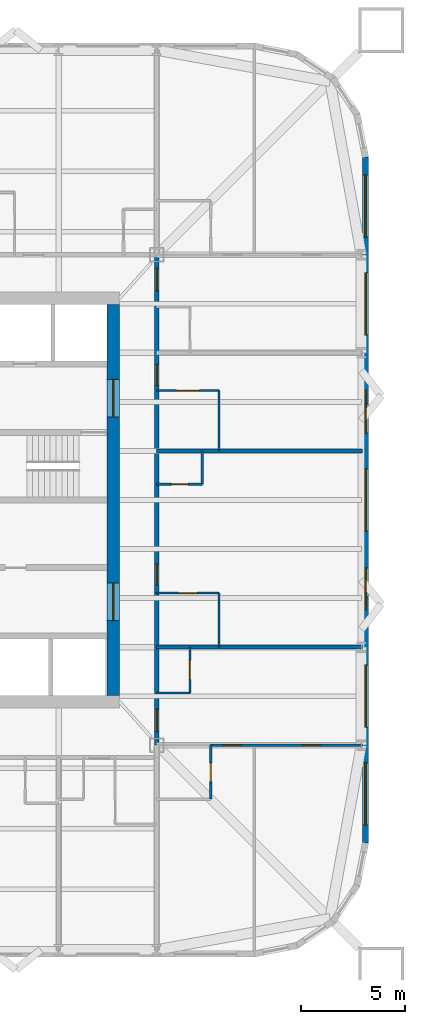
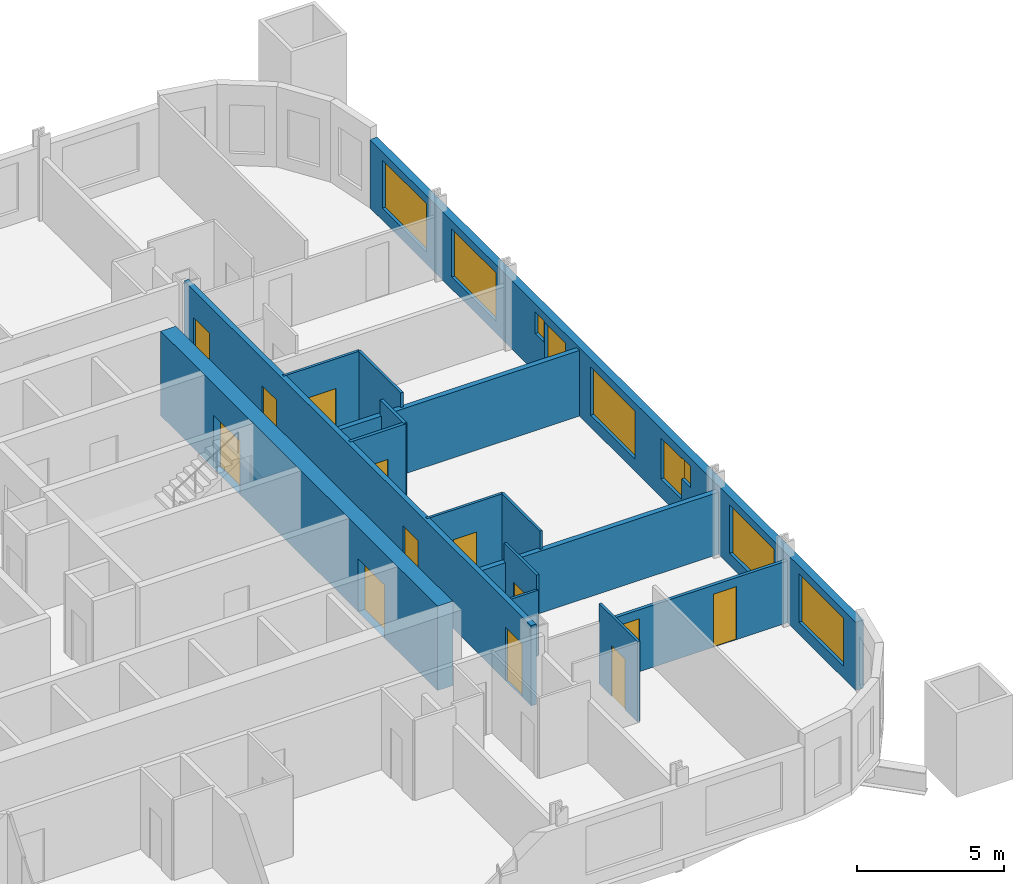
# One storey, part 6 of 10: 15 walls, 13 doors, 9 windows, 22 openings.
"""IFC4 building model written with IfcOpenShell, lengths in metres."""

import ifcopenshell
import ifcopenshell.guid

model = None  # the IFC model being written
_history = None  # IfcOwnerHistory: only IFC2X3 demands one
_inside = {}  # id of a spatial element -> (the spatial element, [elements in it])
_under = {}  # id of a project, library or spatial element -> (it, [spatial elements below it])
_declared = {}  # id of a project -> (the project, [libraries it declares])
_typed = {}  # id of a type object -> (the type object, [elements of that type])
_made_of = {}  # id of a material, layer set ... -> (it, [elements and type objects made of it])


def new_model(schema):
    """Start an empty IFC model of exactly this schema.

    Asked for "IFC4X3", IfcOpenShell would pick the latest addendum, in which some entities
    have other attributes; the version numbers below select the first issue.
    IFC2X3 requires an IfcOwnerHistory on every rooted entity: one is made here for all.
    """
    global model, _history
    if schema == "IFC4X3":
        model = ifcopenshell.file(schema_version=(4, 3, 0, 0))
    else:
        model = ifcopenshell.file(schema=schema)
    _inside.clear()
    _under.clear()
    _declared.clear()
    _typed.clear()
    _made_of.clear()
    _history = None
    if model.schema == "IFC2X3":
        org = make("IfcOrganization", Name="unknown")
        user = make(
            "IfcPersonAndOrganization",
            ThePerson=make("IfcPerson", FamilyName="unknown"),
            TheOrganization=org,
        )
        app = make(
            "IfcApplication",
            ApplicationDeveloper=org,
            Version="unknown",
            ApplicationFullName="unknown",
            ApplicationIdentifier="unknown",
        )
        _history = make(
            "IfcOwnerHistory",
            OwningUser=user,
            OwningApplication=app,
            ChangeAction="ADDED",
            CreationDate=0,
        )
    return model


def make(cls, **values):
    """One entity of the class cls with the attributes given. An attribute that is None is left unset."""
    return model.create_entity(
        cls, **{name: value for name, value in values.items() if value is not None}
    )


def rooted(cls, **values):
    """An entity with a GlobalId (a new one), such as an element, a storey or a relation."""
    return make(cls, GlobalId=ifcopenshell.guid.new(), OwnerHistory=_history, **values)


def si_unit(unit_type, name, prefix=None):
    """IfcSIUnit, for example si_unit("LENGTHUNIT", "METRE", prefix="MILLI")."""
    return make("IfcSIUnit", UnitType=unit_type, Prefix=prefix, Name=name)


def assignment(units):
    """IfcUnitAssignment: the units of a project."""
    return None if units is None else make("IfcUnitAssignment", Units=units)


def point(xyz):
    """IfcCartesianPoint."""
    return None if xyz is None else make("IfcCartesianPoint", Coordinates=xyz)


def direction(xyz):
    """IfcDirection."""
    return None if xyz is None else make("IfcDirection", DirectionRatios=xyz)


def frame(location, z_axis=None, x_axis=None):
    """IfcAxis2Placement3D, a coordinate frame: its origin and axes. An axis left out is left unset."""
    return make(
        "IfcAxis2Placement3D",
        Location=point(location),
        Axis=direction(z_axis),
        RefDirection=direction(x_axis),
    )


def frame_2d(location, x_axis=None):
    """IfcAxis2Placement2D, a coordinate frame in the plane: its origin and x axis."""
    return make(
        "IfcAxis2Placement2D", Location=point(location), RefDirection=direction(x_axis)
    )


def origin():
    """The frame at (0, 0, 0) with its axes left unset."""
    return frame((0.0, 0.0, 0.0))


def place(relative_to, where):
    """IfcLocalPlacement: puts the frame where relative to a parent placement (None: the world)."""
    return make(
        "IfcLocalPlacement", PlacementRelTo=relative_to, RelativePlacement=where
    )


def context(
    kind, dimensions, precision=None, world=None, true_north=None, identifier=None
):
    """IfcGeometricRepresentationContext, for example the 3D "Model" context."""
    return make(
        "IfcGeometricRepresentationContext",
        ContextIdentifier=identifier,
        ContextType=kind,
        CoordinateSpaceDimension=dimensions,
        Precision=precision,
        WorldCoordinateSystem=world,
        TrueNorth=true_north,
    )


def subcontext(parent, identifier, kind, view, scale=None):
    """IfcGeometricRepresentationSubContext, for example "Body" below "Model"."""
    return make(
        "IfcGeometricRepresentationSubContext",
        ContextIdentifier=identifier,
        ContextType=kind,
        ParentContext=parent,
        TargetScale=scale,
        TargetView=view,
    )


def project(units=None, contexts=None):
    """IfcProject with its units and contexts."""
    return rooted(
        "IfcProject",
        Name="project",
        RepresentationContexts=contexts,
        UnitsInContext=assignment(units),
    )


def spatial(cls, under=None, at=None, **own):
    """A site, building, storey or space (cls), placed at a placement, below another one or the project."""
    s = rooted(cls, ObjectPlacement=at, **own)
    if under is not None:
        _under.setdefault(under.id(), (under, []))[1].append(s)
    return s


def profile(cls, at=None, kind="AREA", **sizes):
    """A parametric profile (cls). Its sizes go by their IFC names, for example OverallWidth=200.0."""
    return make(cls, ProfileType=kind, Position=at, **sizes)


def rectangle(**sizes):
    """IfcRectangleProfileDef."""
    return profile("IfcRectangleProfileDef", **sizes)


def extrude(swept, where, along, depth):
    """IfcExtrudedAreaSolid: the profile swept, set in the frame where, extruded along a direction by depth."""
    return make(
        "IfcExtrudedAreaSolid",
        SweptArea=swept,
        Position=where,
        ExtrudedDirection=direction(along),
        Depth=depth,
    )


def shape(context_of_items, identifier, shape_type, items):
    """IfcShapeRepresentation: the items that make up one representation, for example the "Body"."""
    return make(
        "IfcShapeRepresentation",
        ContextOfItems=context_of_items,
        RepresentationIdentifier=identifier,
        RepresentationType=shape_type,
        Items=items,
    )


def material(Name=None, Category=None):
    """IfcMaterial."""
    return make("IfcMaterial", Name=Name, Category=Category)


def layer(
    of_material, thickness, ventilated=None, Name=None, Category=None, Priority=None
):
    """IfcMaterialLayer: one layer of a wall or slab, of a material (None: an air gap)."""
    return make(
        "IfcMaterialLayer",
        Material=of_material,
        LayerThickness=thickness,
        IsVentilated=ventilated,
        Name=Name,
        Category=Category,
        Priority=Priority,
    )


def layer_set(layers, Name=None):
    """IfcMaterialLayerSet."""
    return make("IfcMaterialLayerSet", MaterialLayers=layers, LayerSetName=Name)


def made_of(thing, what):
    """Note that an element or type object is made of a material, layer set ...; save() writes the relation."""
    if what is not None:
        _made_of.setdefault(what.id(), (what, []))[1].append(thing)
    return thing


def type_object(cls, material=None, **own):
    """A type object (cls), such as IfcWallType, which elements share."""
    return made_of(rooted(cls, **own), material)


def element(
    cls,
    number,
    at=None,
    inside=None,
    cuts=None,
    type_object=None,
    material=None,
    context=None,
    identifier="Body",
    shape_type=None,
    held_by="IfcProductDefinitionShape",
    body=None,
    shapes=None,
    **own,
):
    """One element of the class cls, such as IfcWall. Its Tag is "e" and its number.

    at: its placement. inside: the storey or other place that contains it. cuts: it is an
    opening in that element (IfcRelVoidsElement). A single representation is given by context,
    identifier, shape_type and body (its items); several are given by shapes. held_by: the class
    of the entity that holds the representations. save() writes the other relations.
    """
    e = rooted(cls, Tag="e%d" % number, ObjectPlacement=at, **own)
    if body is not None:
        shapes = [shape(context, identifier, shape_type, body)]
    if shapes is not None:
        e.Representation = make(held_by, Representations=shapes)
    if inside is not None:
        _inside.setdefault(inside.id(), (inside, []))[1].append(e)
    if cuts is not None:
        rooted(
            "IfcRelVoidsElement", RelatingBuildingElement=cuts, RelatedOpeningElement=e
        )
    if type_object is not None:
        _typed.setdefault(type_object.id(), (type_object, []))[1].append(e)
    return made_of(e, material)


def fill(opening, filler):
    """IfcRelFillsElement: the door or window that sits in an opening."""
    return rooted(
        "IfcRelFillsElement",
        RelatingOpeningElement=opening,
        RelatedBuildingElement=filler,
    )


def aggregate(whole, parts):
    """IfcRelAggregates: a whole, such as a stair, and the parts it consists of."""
    return rooted("IfcRelAggregates", RelatingObject=whole, RelatedObjects=parts)


def save(model, path):
    """Write the relations noted so far, then the file.

    IfcRelAggregates (storeys below a building ...), IfcRelContainedInSpatialStructure (elements
    in a storey), IfcRelDefinesByType, IfcRelAssociatesMaterial and IfcRelDeclares: one each for
    every whole, place, type object, material and project.
    """
    for whole, parts in _under.values():
        aggregate(whole, parts)
    for where, things in _inside.values():
        rooted(
            "IfcRelContainedInSpatialStructure",
            RelatedElements=things,
            RelatingStructure=where,
        )
    for kind, things in _typed.values():
        rooted("IfcRelDefinesByType", RelatedObjects=things, RelatingType=kind)
    for what, things in _made_of.values():
        rooted("IfcRelAssociatesMaterial", RelatedObjects=things, RelatingMaterial=what)
    for by, libraries in _declared.values():
        rooted("IfcRelDeclares", RelatingContext=by, RelatedDefinitions=libraries)
    model.write(path)


model = new_model("IFC4")

# Units and contexts
model_context = context("Model", 3, precision=1e-05, world=origin(), true_north=direction((0.0, 1.0)))
body_context = subcontext(model_context, "Body", "Model", "MODEL_VIEW")
ifc_project = project(units=[si_unit("LENGTHUNIT", "METRE"), si_unit("AREAUNIT", "SQUARE_METRE"), si_unit("VOLUMEUNIT", "CUBIC_METRE"), si_unit("PLANEANGLEUNIT", "RADIAN"), si_unit("MASSUNIT", "GRAM", prefix="KILO")], contexts=[model_context])

# Site, building, storey
site_placement = place(None, origin())
site = spatial("IfcSite", under=ifc_project, at=site_placement, CompositionType="ELEMENT")
building_placement = place(site_placement, origin())
building = spatial("IfcBuilding", under=site, at=building_placement, Name="Turquesa Mirador Hotel Tower", CompositionType="ELEMENT")
storey_placement = place(building_placement, frame((0.0, 0.0, 63.5)))
storey = spatial("IfcBuildingStorey", under=building, at=storey_placement, Name="L16", CompositionType="ELEMENT", Elevation=63.5)

# Wall, opening, door
ifc_material_1 = material(Name="Gypsum board on steel studs", Category="steel")
ifc_layer_1 = layer(ifc_material_1, 0.10009765625)
ifc_layer_set_1 = layer_set([ifc_layer_1], Name="BATHROOM WALL 100")
wall_type_1 = type_object("IfcWallType", Name="BATHROOM WALL 100", PredefinedType="PARTITIONING", material=ifc_layer_set_1)
wall_1_placement = place(storey_placement, frame((66.800048828125, 40.52001953125, 0.0), z_axis=(0.0, 0.0, 1.0), x_axis=(1.0, 0.0, 0.0)))
wall_1 = element("IfcWall", 1, at=wall_1_placement, inside=storey, type_object=wall_type_1, Name="Partition L16 014", PredefinedType="PARTITIONING", context=body_context, shape_type="SweptSolid", body=[
    extrude(rectangle(XDim=3.0, YDim=0.10009765625, at=frame_2d((1.5, 0.0))), origin(), (0.0, 0.0, 1.0), 3.330078125),
])
opening_1_placement = place(wall_1_placement, frame((1.050048828125, 0.0, 0.0)))
opening_1 = element("IfcOpeningElement", 2, at=opening_1_placement, cuts=wall_1, Name="Opening D02", PredefinedType="OPENING", context=body_context, shape_type="SweptSolid", body=[
    extrude(rectangle(XDim=0.89990234375, YDim=2.10009765625, at=frame_2d((0.449951171875, 1.050048828125))), frame((0.0, 0.06005859375, 0.0), z_axis=(0.0, -1.0, 0.0), x_axis=(1.0, 0.0, 0.0)), (0.0, 0.0, 1.0), 0.1201171875),
])
ifc_material_2 = material(Name="Timber veneered door", Category="wood")
door_type_1 = type_object("IfcDoorType", Name="DOOR 900X2100 EN-SUITE", OperationType="SINGLE_SWING_RIGHT", PredefinedType="DOOR", material=ifc_material_2)
door_1_placement = place(opening_1_placement, origin())
door_1 = element("IfcDoor", 3, at=door_1_placement, inside=storey, type_object=door_type_1, Name="Door 1606B", OperationType="SINGLE_SWING_RIGHT", OverallHeight=2.10009765625, OverallWidth=0.89990234375, PredefinedType="DOOR", context=body_context, shape_type="SweptSolid", body=[
    extrude(rectangle(XDim=0.89990234375, YDim=2.10009765625, at=frame_2d((0.449951171875, 1.050048828125))), frame((0.0, 0.02490234375, 0.0), z_axis=(0.0, -1.0, 0.0), x_axis=(1.0, 0.0, 0.0)), (0.0, 0.0, 1.0), 0.050048828125),
])
fill(opening_1, door_1)

# Wall
wall_2_placement = place(storey_placement, frame((66.800048828125, 35.719970703125, 0.0), z_axis=(0.0, 0.0, 1.0), x_axis=(1.0, 0.0, 0.0)))
element("IfcWall", 4, at=wall_2_placement, inside=storey, type_object=wall_type_1, Name="Partition L16 017", PredefinedType="PARTITIONING", context=body_context, shape_type="SweptSolid", body=[
    extrude(rectangle(XDim=1.599853515625, YDim=0.10009765625, at=frame_2d((0.7998046875, 0.0))), origin(), (0.0, 0.0, 1.0), 2.722900390625),
])

# Wall, opening, door
wall_3_placement = place(storey_placement, frame((66.800048828125, 50.260009765625, 0.0), z_axis=(0.0, 0.0, 1.0), x_axis=(1.0, 0.0, 0.0)))
wall_3 = element("IfcWall", 5, at=wall_3_placement, inside=storey, type_object=wall_type_1, Name="Partition L16 033", PredefinedType="PARTITIONING", context=body_context, shape_type="SweptSolid", body=[
    extrude(rectangle(XDim=3.0, YDim=0.10009765625, at=frame_2d((1.5, 0.0))), origin(), (0.0, 0.0, 1.0), 3.330078125),
])
opening_2_placement = place(wall_3_placement, frame((0.949951171875, 0.0, 0.0)))
opening_2 = element("IfcOpeningElement", 6, at=opening_2_placement, cuts=wall_3, Name="Opening D16", PredefinedType="OPENING", context=body_context, shape_type="SweptSolid", body=[
    extrude(rectangle(XDim=1.10009765625, YDim=2.10009765625, at=frame_2d((0.550048828125, 1.050048828125))), frame((0.0, 0.06005859375, 0.0), z_axis=(0.0, -1.0, 0.0), x_axis=(1.0, 0.0, 0.0)), (0.0, 0.0, 1.0), 0.1201171875),
])
ifc_material_3 = material(Name="Timber veneered sliding door", Category="wood")
door_type_2 = type_object("IfcDoorType", Name="DOOR 1100X2100 ACCESSIBLE EN-SUITE", OperationType="SLIDING_TO_LEFT", PredefinedType="DOOR", material=ifc_material_3)
door_2_placement = place(opening_2_placement, origin())
door_2 = element("IfcDoor", 7, at=door_2_placement, inside=storey, type_object=door_type_2, Name="Door 1607B", OperationType="SLIDING_TO_LEFT", OverallHeight=2.10009765625, OverallWidth=1.10009765625, PredefinedType="DOOR", context=body_context, shape_type="SweptSolid", body=[
    extrude(rectangle(XDim=1.10009765625, YDim=2.10009765625, at=frame_2d((0.550048828125, 1.050048828125))), frame((0.0, 0.02490234375, 0.0), z_axis=(0.0, -1.0, 0.0), x_axis=(1.0, 0.0, 0.0)), (0.0, 0.0, 1.0), 0.050048828125),
])
fill(opening_2, door_2)

wall_4_placement = place(storey_placement, frame((68.39990234375, 35.719970703125, 0.0), z_axis=(0.0, 0.0, 1.0), x_axis=(0.0, 1.0, 0.0)))
wall_4 = element("IfcWall", 8, at=wall_4_placement, inside=storey, type_object=wall_type_1, Name="Partition L16 061", PredefinedType="PARTITIONING", context=body_context, shape_type="SweptSolid", body=[
    extrude(rectangle(XDim=2.199951171875, YDim=0.10009765625, at=frame_2d((1.10009765625, 0.0))), origin(), (0.0, 0.0, 1.0), 3.330078125),
])
opening_3_placement = place(wall_4_placement, frame((0.64990234375, 0.0, 0.0)))
opening_3 = element("IfcOpeningElement", 9, at=opening_3_placement, cuts=wall_4, Name="Opening D06", PredefinedType="OPENING", context=body_context, shape_type="SweptSolid", body=[
    extrude(rectangle(XDim=0.89990234375, YDim=2.10009765625, at=frame_2d((0.449951171875, 1.050048828125))), frame((0.0, 0.06005859375, 0.0), z_axis=(0.0, -1.0, 0.0), x_axis=(1.0, 0.0, 0.0)), (0.0, 0.0, 1.0), 0.1201171875),
])
ifc_material_4 = material(Name="Laminate door", Category="wood")
door_type_3 = type_object("IfcDoorType", Name="DOOR 900X2100 WC", OperationType="SINGLE_SWING_LEFT", PredefinedType="DOOR", material=ifc_material_4)
door_3_placement = place(opening_3_placement, origin())
door_3 = element("IfcDoor", 10, at=door_3_placement, inside=storey, type_object=door_type_3, Name="Door 1613W", OperationType="SINGLE_SWING_LEFT", OverallHeight=2.10009765625, OverallWidth=0.89990234375, PredefinedType="DOOR", context=body_context, shape_type="SweptSolid", body=[
    extrude(rectangle(XDim=0.89990234375, YDim=2.10009765625, at=frame_2d((0.449951171875, 1.050048828125))), frame((0.0, 0.02490234375, 0.0), z_axis=(0.0, -1.0, 0.0), x_axis=(1.0, 0.0, 0.0)), (0.0, 0.0, 1.0), 0.050048828125),
])
fill(opening_3, door_3)

wall_5_placement = place(storey_placement, frame((69.39990234375, 30.60009765625, 0.0), z_axis=(0.0, 0.0, 1.0), x_axis=(0.0, 1.0, 0.0)))
wall_5 = element("IfcWall", 11, at=wall_5_placement, inside=storey, type_object=wall_type_1, Name="Partition L16 064", PredefinedType="PARTITIONING", context=body_context, shape_type="SweptSolid", body=[
    extrude(rectangle(XDim=2.599853515625, YDim=0.10009765625, at=frame_2d((1.2998046875, 0.0))), origin(), (0.0, 0.0, 1.0), 3.330078125),
])
opening_4_placement = place(wall_5_placement, frame((0.85009765625, 0.0, 0.0)))
opening_4 = element("IfcOpeningElement", 12, at=opening_4_placement, cuts=wall_5, Name="Opening D02", PredefinedType="OPENING", context=body_context, shape_type="SweptSolid", body=[
    extrude(rectangle(XDim=0.89990234375, YDim=2.10009765625, at=frame_2d((0.449951171875, 1.050048828125))), frame((0.0, 0.06005859375, 0.0), z_axis=(0.0, -1.0, 0.0), x_axis=(1.0, 0.0, 0.0)), (0.0, 0.0, 1.0), 0.1201171875),
])
door_4_placement = place(opening_4_placement, origin())
door_4 = element("IfcDoor", 13, at=door_4_placement, inside=storey, type_object=door_type_1, Name="Door 1613B", OperationType="SINGLE_SWING_RIGHT", OverallHeight=2.10009765625, OverallWidth=0.89990234375, PredefinedType="DOOR", context=body_context, shape_type="SweptSolid", body=[
    extrude(rectangle(XDim=0.89990234375, YDim=2.10009765625, at=frame_2d((0.449951171875, 1.050048828125))), frame((0.0, 0.02490234375, 0.0), z_axis=(0.0, -1.0, 0.0), x_axis=(1.0, 0.0, 0.0)), (0.0, 0.0, 1.0), 0.050048828125),
])
fill(opening_4, door_4)

# Walls
wall_6_placement = place(storey_placement, frame((69.800048828125, 37.919921875, 0.0), z_axis=(0.0, 0.0, 1.0), x_axis=(0.0, 1.0, 0.0)))
element("IfcWall", 14, at=wall_6_placement, inside=storey, type_object=wall_type_1, Name="Partition L16 066", PredefinedType="PARTITIONING", context=body_context, shape_type="SweptSolid", body=[
    extrude(rectangle(XDim=2.60009765625, YDim=0.10009765625, at=frame_2d((1.300048828125, 0.0))), origin(), (0.0, 0.0, 1.0), 3.330078125),
])
wall_7_placement = place(storey_placement, frame((69.800048828125, 47.360107421875, 0.0), z_axis=(0.0, 0.0, 1.0), x_axis=(0.0, 1.0, 0.0)))
element("IfcWall", 15, at=wall_7_placement, inside=storey, type_object=wall_type_1, Name="Partition L16 067", PredefinedType="PARTITIONING", context=body_context, shape_type="SweptSolid", body=[
    extrude(rectangle(XDim=2.89990234375, YDim=0.10009765625, at=frame_2d((1.449951171875, 0.0))), origin(), (0.0, 0.0, 1.0), 3.330078125),
])

# Wall, openings, doors
ifc_material_5 = material(Name="Concrete C50/60", Category="concrete")
ifc_layer_2 = layer(ifc_material_5, 0.60009765625)
ifc_layer_set_2 = layer_set([ifc_layer_2], Name="CORE WALL 600")
wall_type_2 = type_object("IfcWallType", Name="CORE WALL 600", PredefinedType="SHEAR", material=ifc_layer_set_2)
wall_8_placement = place(storey_placement, frame((64.699951171875, 35.60009765625, 0.0), z_axis=(0.0, 0.0, 1.0), x_axis=(0.0, 1.0, 0.0)))
wall_8 = element("IfcWall", 16, at=wall_8_placement, inside=storey, type_object=wall_type_2, Name="Core wall E", PredefinedType="SHEAR", context=body_context, shape_type="SweptSolid", body=[
    extrude(rectangle(XDim=18.7998046875, YDim=0.60009765625, at=frame_2d((9.39990234375, 0.0))), origin(), (0.0, 0.0, 1.0), 3.5),
])
opening_5_placement = place(wall_8_placement, frame((13.39990234375, 0.0, 0.0)))
opening_5 = element("IfcOpeningElement", 17, at=opening_5_placement, cuts=wall_8, Name="Opening D04", PredefinedType="OPENING", context=body_context, shape_type="SweptSolid", body=[
    extrude(rectangle(XDim=1.800048828125, YDim=2.199951171875, at=frame_2d((0.89990234375, 1.10009765625))), frame((0.0, 0.31005859375, 0.0), z_axis=(0.0, -1.0, 0.0), x_axis=(1.0, 0.0, 0.0)), (0.0, 0.0, 1.0), 0.6201171875),
])
opening_6_placement = place(wall_8_placement, frame((3.60009765625, 0.0, 0.0)))
opening_6 = element("IfcOpeningElement", 18, at=opening_6_placement, cuts=wall_8, Name="Opening D04", PredefinedType="OPENING", context=body_context, shape_type="SweptSolid", body=[
    extrude(rectangle(XDim=1.800048828125, YDim=2.199951171875, at=frame_2d((0.89990234375, 1.10009765625))), frame((0.0, 0.31005859375, 0.0), z_axis=(0.0, -1.0, 0.0), x_axis=(1.0, 0.0, 0.0)), (0.0, 0.0, 1.0), 0.6201171875),
])
ifc_material_6 = material(Name="Steel fire door pair", Category="steel")
door_type_4 = type_object("IfcDoorType", Name="DOOR 1800X2200 PAIR", OperationType="DOUBLE_DOOR_SINGLE_SWING", PredefinedType="DOOR", material=ifc_material_6)
door_5_placement = place(opening_5_placement, origin())
door_5 = element("IfcDoor", 19, at=door_5_placement, inside=storey, type_object=door_type_4, Name="Firefighting lobby door", OperationType="DOUBLE_DOOR_SINGLE_SWING", OverallHeight=2.199951171875, OverallWidth=1.800048828125, PredefinedType="DOOR", context=body_context, shape_type="SweptSolid", body=[
    extrude(rectangle(XDim=1.800048828125, YDim=2.199951171875, at=frame_2d((0.89990234375, 1.10009765625))), frame((0.0, 0.02490234375, 0.0), z_axis=(0.0, -1.0, 0.0), x_axis=(1.0, 0.0, 0.0)), (0.0, 0.0, 1.0), 0.050048828125),
])
fill(opening_5, door_5)
door_6_placement = place(opening_6_placement, origin())
door_6 = element("IfcDoor", 20, at=door_6_placement, inside=storey, type_object=door_type_4, Name="South lift lobby door", OperationType="DOUBLE_DOOR_SINGLE_SWING", OverallHeight=2.199951171875, OverallWidth=1.800048828125, PredefinedType="DOOR", context=body_context, shape_type="SweptSolid", body=[
    extrude(rectangle(XDim=1.800048828125, YDim=2.199951171875, at=frame_2d((0.89990234375, 1.10009765625))), frame((0.0, 0.02490234375, 0.0), z_axis=(0.0, -1.0, 0.0), x_axis=(1.0, 0.0, 0.0)), (0.0, 0.0, 1.0), 0.050048828125),
])
fill(opening_6, door_6)

ifc_material_7 = material(Name="Fire-rated gypsum board on steel studs", Category="steel")
ifc_layer_3 = layer(ifc_material_7, 0.199951171875)
ifc_layer_set_3 = layer_set([ifc_layer_3], Name="CORRIDOR WALL 200")
wall_type_3 = type_object("IfcWallType", Name="CORRIDOR WALL 200", PredefinedType="PARTITIONING", material=ifc_layer_set_3)
wall_9_placement = place(storey_placement, frame((66.800048828125, 33.219970703125, 0.0), z_axis=(0.0, 0.0, 1.0), x_axis=(0.0, 1.0, 0.0)))
wall_9 = element("IfcWall", 21, at=wall_9_placement, inside=storey, type_object=wall_type_3, Name="Partition L16 058", PredefinedType="PARTITIONING", context=body_context, shape_type="SweptSolid", body=[
    extrude(rectangle(XDim=23.580078125, YDim=0.199951171875, at=frame_2d((11.7900390625, 0.0))), origin(), (0.0, 0.0, 1.0), 3.330078125),
])
opening_7_placement = place(wall_9_placement, frame((7.699951171875, 0.0, 0.0)))
opening_7 = element("IfcOpeningElement", 22, at=opening_7_placement, cuts=wall_9, Name="Opening D01", PredefinedType="OPENING", context=body_context, shape_type="SweptSolid", body=[
    extrude(rectangle(XDim=1.0, YDim=2.199951171875, at=frame_2d((0.5, 1.10009765625))), frame((0.0, 0.10986328125, 0.0), z_axis=(0.0, -1.0, 0.0), x_axis=(1.0, 0.0, 0.0)), (0.0, 0.0, 1.0), 0.219970703125),
])
opening_8_placement = place(wall_9_placement, frame((17.2900390625, 0.0, 0.0)))
opening_8 = element("IfcOpeningElement", 23, at=opening_8_placement, cuts=wall_9, Name="Opening D01", PredefinedType="OPENING", context=body_context, shape_type="SweptSolid", body=[
    extrude(rectangle(XDim=1.0, YDim=2.199951171875, at=frame_2d((0.5, 1.10009765625))), frame((0.0, 0.10986328125, 0.0), z_axis=(0.0, -1.0, 0.0), x_axis=(1.0, 0.0, 0.0)), (0.0, 0.0, 1.0), 0.219970703125),
])
opening_9_placement = place(wall_9_placement, frame((21.830078125, 0.0, 0.0)))
opening_9 = element("IfcOpeningElement", 24, at=opening_9_placement, cuts=wall_9, Name="Opening D15", PredefinedType="OPENING", context=body_context, shape_type="SweptSolid", body=[
    extrude(rectangle(XDim=1.10009765625, YDim=2.199951171875, at=frame_2d((0.550048828125, 1.10009765625))), frame((0.0, 0.10986328125, 0.0), z_axis=(0.0, -1.0, 0.0), x_axis=(1.0, 0.0, 0.0)), (0.0, 0.0, 1.0), 0.219970703125),
])
opening_10_placement = place(wall_9_placement, frame((0.6298828125, 0.0, 0.0)))
opening_10 = element("IfcOpeningElement", 25, at=opening_10_placement, cuts=wall_9, Name="Opening D15", PredefinedType="OPENING", context=body_context, shape_type="SweptSolid", body=[
    extrude(rectangle(XDim=1.10009765625, YDim=2.199951171875, at=frame_2d((0.550048828125, 1.10009765625))), frame((0.0, 0.10986328125, 0.0), z_axis=(0.0, -1.0, 0.0), x_axis=(1.0, 0.0, 0.0)), (0.0, 0.0, 1.0), 0.219970703125),
])
ifc_material_8 = material(Name="Timber veneered fire door", Category="wood")
door_type_5 = type_object("IfcDoorType", Name="DOOR 1000X2200 GUEST ENTRY", OperationType="SINGLE_SWING_LEFT", PredefinedType="DOOR", material=ifc_material_8)
door_7_placement = place(opening_7_placement, origin())
door_7 = element("IfcDoor", 26, at=door_7_placement, inside=storey, type_object=door_type_5, Name="Door 1606", OperationType="SINGLE_SWING_LEFT", OverallHeight=2.199951171875, OverallWidth=1.0, PredefinedType="DOOR", context=body_context, shape_type="SweptSolid", body=[
    extrude(rectangle(XDim=1.0, YDim=2.199951171875, at=frame_2d((0.5, 1.10009765625))), frame((0.0, 0.02490234375, 0.0), z_axis=(0.0, -1.0, 0.0), x_axis=(1.0, 0.0, 0.0)), (0.0, 0.0, 1.0), 0.050048828125),
])
fill(opening_7, door_7)
door_8_placement = place(opening_8_placement, origin())
door_8 = element("IfcDoor", 27, at=door_8_placement, inside=storey, type_object=door_type_5, Name="Door 1607", OperationType="SINGLE_SWING_LEFT", OverallHeight=2.199951171875, OverallWidth=1.0, PredefinedType="DOOR", context=body_context, shape_type="SweptSolid", body=[
    extrude(rectangle(XDim=1.0, YDim=2.199951171875, at=frame_2d((0.5, 1.10009765625))), frame((0.0, 0.02490234375, 0.0), z_axis=(0.0, -1.0, 0.0), x_axis=(1.0, 0.0, 0.0)), (0.0, 0.0, 1.0), 0.050048828125),
])
fill(opening_8, door_8)
ifc_material_9 = material(Name="Timber veneered fire door", Category="wood")
door_type_6 = type_object("IfcDoorType", Name="DOOR 1100X2200 SUITE ENTRY", OperationType="SINGLE_SWING_LEFT", PredefinedType="DOOR", material=ifc_material_9)
door_9_placement = place(opening_9_placement, origin())
door_9 = element("IfcDoor", 28, at=door_9_placement, inside=storey, type_object=door_type_6, Name="Door 1610", OperationType="SINGLE_SWING_LEFT", OverallHeight=2.199951171875, OverallWidth=1.10009765625, PredefinedType="DOOR", context=body_context, shape_type="SweptSolid", body=[
    extrude(rectangle(XDim=1.10009765625, YDim=2.199951171875, at=frame_2d((0.550048828125, 1.10009765625))), frame((0.0, 0.02490234375, 0.0), z_axis=(0.0, -1.0, 0.0), x_axis=(1.0, 0.0, 0.0)), (0.0, 0.0, 1.0), 0.050048828125),
])
fill(opening_9, door_9)
door_10_placement = place(opening_10_placement, origin())
door_10 = element("IfcDoor", 29, at=door_10_placement, inside=storey, type_object=door_type_6, Name="Door 1613", OperationType="SINGLE_SWING_LEFT", OverallHeight=2.199951171875, OverallWidth=1.10009765625, PredefinedType="DOOR", context=body_context, shape_type="SweptSolid", body=[
    extrude(rectangle(XDim=1.10009765625, YDim=2.199951171875, at=frame_2d((0.550048828125, 1.10009765625))), frame((0.0, 0.02490234375, 0.0), z_axis=(0.0, -1.0, 0.0), x_axis=(1.0, 0.0, 0.0)), (0.0, 0.0, 1.0), 0.050048828125),
])
fill(opening_10, door_10)

# Wall, openings, windows
ifc_material_10 = material(Name="Limestone cladding on concrete block", Category="masonry")
ifc_layer_4 = layer(ifc_material_10, 0.300048828125)
ifc_layer_set_4 = layer_set([ifc_layer_4], Name="FACADE WALL 300 STONE SCREEN")
wall_type_4 = type_object("IfcWallType", Name="FACADE WALL 300 STONE SCREEN", PredefinedType="SOLIDWALL", material=ifc_layer_set_4)
wall_10_placement = place(storey_placement, frame((76.85009765625, 28.5, 0.0), z_axis=(0.0, 0.0, 1.0), x_axis=(0.0, 1.0, 0.0)))
wall_10 = element("IfcWall", 30, at=wall_10_placement, inside=storey, type_object=wall_type_4, Name="Facade wall L16 04", PredefinedType="SOLIDWALL", context=body_context, shape_type="SweptSolid", body=[
    extrude(rectangle(XDim=33.0, YDim=0.300048828125, at=frame_2d((16.5, 0.0))), origin(), (0.0, 0.0, 1.0), 2.830078125),
])
opening_11_placement = place(wall_10_placement, frame((0.85009765625, 0.0, 0.5)))
opening_11 = element("IfcOpeningElement", 31, at=opening_11_placement, cuts=wall_10, Name="Opening WN1", PredefinedType="OPENING", context=body_context, shape_type="SweptSolid", body=[
    extrude(rectangle(XDim=3.0, YDim=2.0, at=frame_2d((1.5, 1.0))), frame((0.0, 0.159912109375, 0.0), z_axis=(0.0, -1.0, 0.0), x_axis=(1.0, 0.0, 0.0)), (0.0, 0.0, 1.0), 0.320068359375),
])
opening_12_placement = place(wall_10_placement, frame((5.56005859375, 0.0, 0.5)))
opening_12 = element("IfcOpeningElement", 32, at=opening_12_placement, cuts=wall_10, Name="Opening WN1", PredefinedType="OPENING", context=body_context, shape_type="SweptSolid", body=[
    extrude(rectangle(XDim=3.0, YDim=2.0, at=frame_2d((1.5, 1.0))), frame((0.0, 0.159912109375, 0.0), z_axis=(0.0, -1.0, 0.0), x_axis=(1.0, 0.0, 0.0)), (0.0, 0.0, 1.0), 0.320068359375),
])
opening_13_placement = place(wall_10_placement, frame((11.830078125, 0.0, 0.75)))
opening_13 = element("IfcOpeningElement", 33, at=opening_13_placement, cuts=wall_10, Name="Opening WN43", PredefinedType="OPENING", context=body_context, shape_type="SweptSolid", body=[
    extrude(rectangle(XDim=1.39990234375, YDim=1.699951171875, at=frame_2d((0.699951171875, 0.85009765625))), frame((0.0, 0.159912109375, 0.0), z_axis=(0.0, -1.0, 0.0), x_axis=(1.0, 0.0, 0.0)), (0.0, 0.0, 1.0), 0.320068359375),
])
opening_14_placement = place(wall_10_placement, frame((15.0, 0.0, 0.5)))
opening_14 = element("IfcOpeningElement", 34, at=opening_14_placement, cuts=wall_10, Name="Opening WN1", PredefinedType="OPENING", context=body_context, shape_type="SweptSolid", body=[
    extrude(rectangle(XDim=3.0, YDim=2.0, at=frame_2d((1.5, 1.0))), frame((0.0, 0.159912109375, 0.0), z_axis=(0.0, -1.0, 0.0), x_axis=(1.0, 0.0, 0.0)), (0.0, 0.0, 1.0), 0.320068359375),
])
opening_15_placement = place(wall_10_placement, frame((19.719970703125, 0.0, 0.75)))
opening_15 = element("IfcOpeningElement", 35, at=opening_15_placement, cuts=wall_10, Name="Opening WN43", PredefinedType="OPENING", context=body_context, shape_type="SweptSolid", body=[
    extrude(rectangle(XDim=1.39990234375, YDim=1.699951171875, at=frame_2d((0.699951171875, 0.85009765625))), frame((0.0, 0.159912109375, 0.0), z_axis=(0.0, -1.0, 0.0), x_axis=(1.0, 0.0, 0.0)), (0.0, 0.0, 1.0), 0.320068359375),
])
opening_16_placement = place(wall_10_placement, frame((24.43994140625, 0.0, 0.5)))
opening_16 = element("IfcOpeningElement", 36, at=opening_16_placement, cuts=wall_10, Name="Opening WN1", PredefinedType="OPENING", context=body_context, shape_type="SweptSolid", body=[
    extrude(rectangle(XDim=3.0, YDim=2.0, at=frame_2d((1.5, 1.0))), frame((0.0, 0.159912109375, 0.0), z_axis=(0.0, -1.0, 0.0), x_axis=(1.0, 0.0, 0.0)), (0.0, 0.0, 1.0), 0.320068359375),
])
opening_17_placement = place(wall_10_placement, frame((29.14990234375, 0.0, 0.5)))
opening_17 = element("IfcOpeningElement", 37, at=opening_17_placement, cuts=wall_10, Name="Opening WN1", PredefinedType="OPENING", context=body_context, shape_type="SweptSolid", body=[
    extrude(rectangle(XDim=3.0, YDim=2.0, at=frame_2d((1.5, 1.0))), frame((0.0, 0.159912109375, 0.0), z_axis=(0.0, -1.0, 0.0), x_axis=(1.0, 0.0, 0.0)), (0.0, 0.0, 1.0), 0.320068359375),
])
opening_18_placement = place(wall_10_placement, frame((11.22998046875, 0.0, 1.60009765625)))
opening_18 = element("IfcOpeningElement", 38, at=opening_18_placement, cuts=wall_10, Name="Opening WN25", PredefinedType="OPENING", context=body_context, shape_type="SweptSolid", body=[
    extrude(rectangle(XDim=0.60009765625, YDim=0.89990234375, at=frame_2d((0.300048828125, 0.449951171875))), frame((0.0, 0.159912109375, 0.0), z_axis=(0.0, -1.0, 0.0), x_axis=(1.0, 0.0, 0.0)), (0.0, 0.0, 1.0), 0.320068359375),
])
opening_19_placement = place(wall_10_placement, frame((21.169921875, 0.0, 1.60009765625)))
opening_19 = element("IfcOpeningElement", 39, at=opening_19_placement, cuts=wall_10, Name="Opening WN25", PredefinedType="OPENING", context=body_context, shape_type="SweptSolid", body=[
    extrude(rectangle(XDim=0.60009765625, YDim=0.89990234375, at=frame_2d((0.300048828125, 0.449951171875))), frame((0.0, 0.159912109375, 0.0), z_axis=(0.0, -1.0, 0.0), x_axis=(1.0, 0.0, 0.0)), (0.0, 0.0, 1.0), 0.320068359375),
])
ifc_material_11 = material(Name="Ceramic-fritted laminated glass", Category="glass")
window_type_1 = type_object("IfcWindowType", Name="FRITTED WINDOW 1400X1700", PartitioningType="DOUBLE_PANEL_HORIZONTAL", PredefinedType="WINDOW", material=ifc_material_11)
window_1_placement = place(opening_13_placement, origin())
window_1 = element("IfcWindow", 40, at=window_1_placement, inside=storey, type_object=window_type_1, Name="Window L16", OverallHeight=1.699951171875, OverallWidth=1.39990234375, PartitioningType="SINGLE_PANEL", PredefinedType="WINDOW", context=body_context, shape_type="SweptSolid", body=[
    extrude(rectangle(XDim=1.39990234375, YDim=1.699951171875, at=frame_2d((0.699951171875, 0.85009765625))), frame((0.0, 0.030029296875, 0.0), z_axis=(0.0, -1.0, 0.0), x_axis=(1.0, 0.0, 0.0)), (0.0, 0.0, 1.0), 0.06005859375),
])
fill(opening_13, window_1)
window_2_placement = place(opening_15_placement, origin())
window_2 = element("IfcWindow", 41, at=window_2_placement, inside=storey, type_object=window_type_1, Name="Window L16", OverallHeight=1.699951171875, OverallWidth=1.39990234375, PartitioningType="SINGLE_PANEL", PredefinedType="WINDOW", context=body_context, shape_type="SweptSolid", body=[
    extrude(rectangle(XDim=1.39990234375, YDim=1.699951171875, at=frame_2d((0.699951171875, 0.85009765625))), frame((0.0, 0.030029296875, 0.0), z_axis=(0.0, -1.0, 0.0), x_axis=(1.0, 0.0, 0.0)), (0.0, 0.0, 1.0), 0.06005859375),
])
fill(opening_15, window_2)
ifc_material_12 = material(Name="Ceramic-fritted laminated glass", Category="glass")
window_type_2 = type_object("IfcWindowType", Name="FRITTED WINDOW 3000X2000", PartitioningType="DOUBLE_PANEL_HORIZONTAL", PredefinedType="WINDOW", material=ifc_material_12)
window_3_placement = place(opening_11_placement, origin())
window_3 = element("IfcWindow", 42, at=window_3_placement, inside=storey, type_object=window_type_2, Name="Window L16", OverallHeight=2.0, OverallWidth=3.0, PartitioningType="SINGLE_PANEL", PredefinedType="WINDOW", context=body_context, shape_type="SweptSolid", body=[
    extrude(rectangle(XDim=3.0, YDim=2.0, at=frame_2d((1.5, 1.0))), frame((0.0, 0.030029296875, 0.0), z_axis=(0.0, -1.0, 0.0), x_axis=(1.0, 0.0, 0.0)), (0.0, 0.0, 1.0), 0.06005859375),
])
fill(opening_11, window_3)
window_4_placement = place(opening_12_placement, origin())
window_4 = element("IfcWindow", 43, at=window_4_placement, inside=storey, type_object=window_type_2, Name="Window L16", OverallHeight=2.0, OverallWidth=3.0, PartitioningType="SINGLE_PANEL", PredefinedType="WINDOW", context=body_context, shape_type="SweptSolid", body=[
    extrude(rectangle(XDim=3.0, YDim=2.0, at=frame_2d((1.5, 1.0))), frame((0.0, 0.030029296875, 0.0), z_axis=(0.0, -1.0, 0.0), x_axis=(1.0, 0.0, 0.0)), (0.0, 0.0, 1.0), 0.06005859375),
])
fill(opening_12, window_4)
window_5_placement = place(opening_14_placement, origin())
window_5 = element("IfcWindow", 44, at=window_5_placement, inside=storey, type_object=window_type_2, Name="Window L16", OverallHeight=2.0, OverallWidth=3.0, PartitioningType="SINGLE_PANEL", PredefinedType="WINDOW", context=body_context, shape_type="SweptSolid", body=[
    extrude(rectangle(XDim=3.0, YDim=2.0, at=frame_2d((1.5, 1.0))), frame((0.0, 0.030029296875, 0.0), z_axis=(0.0, -1.0, 0.0), x_axis=(1.0, 0.0, 0.0)), (0.0, 0.0, 1.0), 0.06005859375),
])
fill(opening_14, window_5)
window_6_placement = place(opening_16_placement, origin())
window_6 = element("IfcWindow", 45, at=window_6_placement, inside=storey, type_object=window_type_2, Name="Window L16", OverallHeight=2.0, OverallWidth=3.0, PartitioningType="SINGLE_PANEL", PredefinedType="WINDOW", context=body_context, shape_type="SweptSolid", body=[
    extrude(rectangle(XDim=3.0, YDim=2.0, at=frame_2d((1.5, 1.0))), frame((0.0, 0.030029296875, 0.0), z_axis=(0.0, -1.0, 0.0), x_axis=(1.0, 0.0, 0.0)), (0.0, 0.0, 1.0), 0.06005859375),
])
fill(opening_16, window_6)
window_7_placement = place(opening_17_placement, origin())
window_7 = element("IfcWindow", 46, at=window_7_placement, inside=storey, type_object=window_type_2, Name="Window L16", OverallHeight=2.0, OverallWidth=3.0, PartitioningType="SINGLE_PANEL", PredefinedType="WINDOW", context=body_context, shape_type="SweptSolid", body=[
    extrude(rectangle(XDim=3.0, YDim=2.0, at=frame_2d((1.5, 1.0))), frame((0.0, 0.030029296875, 0.0), z_axis=(0.0, -1.0, 0.0), x_axis=(1.0, 0.0, 0.0)), (0.0, 0.0, 1.0), 0.06005859375),
])
fill(opening_17, window_7)
ifc_material_13 = material(Name="Ceramic-fritted laminated glass", Category="glass")
window_type_3 = type_object("IfcWindowType", Name="FRITTED WINDOW 600X900", PartitioningType="DOUBLE_PANEL_HORIZONTAL", PredefinedType="WINDOW", material=ifc_material_13)
window_8_placement = place(opening_18_placement, origin())
window_8 = element("IfcWindow", 47, at=window_8_placement, inside=storey, type_object=window_type_3, Name="Window L16", OverallHeight=0.89990234375, OverallWidth=0.60009765625, PartitioningType="SINGLE_PANEL", PredefinedType="WINDOW", context=body_context, shape_type="SweptSolid", body=[
    extrude(rectangle(XDim=0.60009765625, YDim=0.89990234375, at=frame_2d((0.300048828125, 0.449951171875))), frame((0.0, 0.030029296875, 0.0), z_axis=(0.0, -1.0, 0.0), x_axis=(1.0, 0.0, 0.0)), (0.0, 0.0, 1.0), 0.06005859375),
])
fill(opening_18, window_8)
window_9_placement = place(opening_19_placement, origin())
window_9 = element("IfcWindow", 48, at=window_9_placement, inside=storey, type_object=window_type_3, Name="Window L16", OverallHeight=0.89990234375, OverallWidth=0.60009765625, PartitioningType="SINGLE_PANEL", PredefinedType="WINDOW", context=body_context, shape_type="SweptSolid", body=[
    extrude(rectangle(XDim=0.60009765625, YDim=0.89990234375, at=frame_2d((0.300048828125, 0.449951171875))), frame((0.0, 0.030029296875, 0.0), z_axis=(0.0, -1.0, 0.0), x_axis=(1.0, 0.0, 0.0)), (0.0, 0.0, 1.0), 0.06005859375),
])
fill(opening_19, window_9)

# Walls
ifc_material_14 = material(Name="Fire-rated gypsum board on steel studs", Category="steel")
ifc_layer_5 = layer(ifc_material_14, 0.199951171875)
ifc_layer_set_5 = layer_set([ifc_layer_5], Name="PARTY WALL 200")
wall_type_5 = type_object("IfcWallType", Name="PARTY WALL 200", PredefinedType="PARTITIONING", material=ifc_layer_set_5)
wall_11_placement = place(storey_placement, frame((66.800048828125, 37.919921875, 0.0), z_axis=(0.0, 0.0, 1.0), x_axis=(1.0, 0.0, 0.0)))
element("IfcWall", 49, at=wall_11_placement, inside=storey, type_object=wall_type_5, Name="Partition L16 016", PredefinedType="PARTITIONING", context=body_context, shape_type="SweptSolid", body=[
    extrude(rectangle(XDim=9.89990234375, YDim=0.199951171875, at=frame_2d((4.949951171875, 0.0))), origin(), (0.0, 0.0, 1.0), 2.572998046875),
])
wall_12_placement = place(storey_placement, frame((66.800048828125, 47.360107421875, 0.0), z_axis=(0.0, 0.0, 1.0), x_axis=(1.0, 0.0, 0.0)))
element("IfcWall", 50, at=wall_12_placement, inside=storey, type_object=wall_type_5, Name="Partition L16 031", PredefinedType="PARTITIONING", context=body_context, shape_type="SweptSolid", body=[
    extrude(rectangle(XDim=9.89990234375, YDim=0.199951171875, at=frame_2d((4.949951171875, 0.0))), origin(), (0.0, 0.0, 1.0), 2.722900390625),
])

# Wall, openings, doors
ifc_material_15 = material(Name="Acoustic gypsum board on steel studs", Category="steel")
ifc_layer_6 = layer(ifc_material_15, 0.125)
ifc_layer_set_6 = layer_set([ifc_layer_6], Name="SUITE PARTITION 125")
wall_type_6 = type_object("IfcWallType", Name="SUITE PARTITION 125", PredefinedType="PARTITIONING", material=ifc_layer_set_6)
wall_13_placement = place(storey_placement, frame((69.39990234375, 33.199951171875, 0.0), z_axis=(0.0, 0.0, 1.0), x_axis=(1.0, 0.0, 0.0)))
wall_13 = element("IfcWall", 51, at=wall_13_placement, inside=storey, type_object=wall_type_6, Name="Partition L16 003", PredefinedType="PARTITIONING", context=body_context, shape_type="SweptSolid", body=[
    extrude(rectangle(XDim=7.300048828125, YDim=0.125, at=frame_2d((3.64990234375, 0.0))), origin(), (0.0, 0.0, 1.0), 2.572998046875),
])
opening_20_placement = place(wall_13_placement, frame((0.60009765625, 0.0, 0.0)))
opening_20 = element("IfcOpeningElement", 52, at=opening_20_placement, cuts=wall_13, Name="Opening D17", PredefinedType="OPENING", context=body_context, shape_type="SweptSolid", body=[
    extrude(rectangle(XDim=0.89990234375, YDim=2.199951171875, at=frame_2d((0.449951171875, 1.10009765625))), frame((0.0, 0.072509765625, 0.0), z_axis=(0.0, -1.0, 0.0), x_axis=(1.0, 0.0, 0.0)), (0.0, 0.0, 1.0), 0.14501953125),
])
opening_21_placement = place(wall_13_placement, frame((4.39990234375, 0.0, 0.0)))
opening_21 = element("IfcOpeningElement", 53, at=opening_21_placement, cuts=wall_13, Name="Opening D17", PredefinedType="OPENING", context=body_context, shape_type="SweptSolid", body=[
    extrude(rectangle(XDim=0.89990234375, YDim=2.199951171875, at=frame_2d((0.449951171875, 1.10009765625))), frame((0.0, 0.072509765625, 0.0), z_axis=(0.0, -1.0, 0.0), x_axis=(1.0, 0.0, 0.0)), (0.0, 0.0, 1.0), 0.14501953125),
])
ifc_material_16 = material(Name="Timber veneered door", Category="wood")
door_type_7 = type_object("IfcDoorType", Name="DOOR 900X2200 SUITE INTERNAL", OperationType="SINGLE_SWING_LEFT", PredefinedType="DOOR", material=ifc_material_16)
door_11_placement = place(opening_20_placement, origin())
door_11 = element("IfcDoor", 54, at=door_11_placement, inside=storey, type_object=door_type_7, Name="Door 1613R", OperationType="SINGLE_SWING_LEFT", OverallHeight=2.199951171875, OverallWidth=0.89990234375, PredefinedType="DOOR", context=body_context, shape_type="SweptSolid", body=[
    extrude(rectangle(XDim=0.89990234375, YDim=2.199951171875, at=frame_2d((0.449951171875, 1.10009765625))), frame((0.0, 0.02490234375, 0.0), z_axis=(0.0, -1.0, 0.0), x_axis=(1.0, 0.0, 0.0)), (0.0, 0.0, 1.0), 0.050048828125),
])
fill(opening_20, door_11)
door_12_placement = place(opening_21_placement, origin())
door_12 = element("IfcDoor", 55, at=door_12_placement, inside=storey, type_object=door_type_7, Name="Door 1613S", OperationType="SINGLE_SWING_LEFT", OverallHeight=2.199951171875, OverallWidth=0.89990234375, PredefinedType="DOOR", context=body_context, shape_type="SweptSolid", body=[
    extrude(rectangle(XDim=0.89990234375, YDim=2.199951171875, at=frame_2d((0.449951171875, 1.10009765625))), frame((0.0, 0.02490234375, 0.0), z_axis=(0.0, -1.0, 0.0), x_axis=(1.0, 0.0, 0.0)), (0.0, 0.0, 1.0), 0.050048828125),
])
fill(opening_21, door_12)

# Wall, opening, door
wall_14_placement = place(storey_placement, frame((66.800048828125, 45.760009765625, 0.0), z_axis=(0.0, 0.0, 1.0), x_axis=(1.0, 0.0, 0.0)))
wall_14 = element("IfcWall", 56, at=wall_14_placement, inside=storey, type_object=wall_type_6, Name="Partition L16 020", PredefinedType="PARTITIONING", context=body_context, shape_type="SweptSolid", body=[
    extrude(rectangle(XDim=2.199951171875, YDim=0.125, at=frame_2d((1.10009765625, 0.0))), origin(), (0.0, 0.0, 1.0), 3.330078125),
])
opening_22_placement = place(wall_14_placement, frame((0.699951171875, 0.0, 0.0)))
opening_22 = element("IfcOpeningElement", 57, at=opening_22_placement, cuts=wall_14, Name="Opening D20", PredefinedType="OPENING", context=body_context, shape_type="SweptSolid", body=[
    extrude(rectangle(XDim=0.800048828125, YDim=2.10009765625, at=frame_2d((0.39990234375, 1.050048828125))), frame((0.0, 0.072509765625, 0.0), z_axis=(0.0, -1.0, 0.0), x_axis=(1.0, 0.0, 0.0)), (0.0, 0.0, 1.0), 0.14501953125),
])
ifc_material_17 = material(Name="Timber veneered sliding door", Category="wood")
door_type_8 = type_object("IfcDoorType", Name="DOOR 800X2100 WARDROBE", OperationType="SLIDING_TO_LEFT", PredefinedType="DOOR", material=ifc_material_17)
door_13_placement = place(opening_22_placement, origin())
door_13 = element("IfcDoor", 58, at=door_13_placement, inside=storey, type_object=door_type_8, Name="Door 1606W", OperationType="SLIDING_TO_LEFT", OverallHeight=2.10009765625, OverallWidth=0.800048828125, PredefinedType="DOOR", context=body_context, shape_type="SweptSolid", body=[
    extrude(rectangle(XDim=0.800048828125, YDim=2.10009765625, at=frame_2d((0.39990234375, 1.050048828125))), frame((0.0, 0.02490234375, 0.0), z_axis=(0.0, -1.0, 0.0), x_axis=(1.0, 0.0, 0.0)), (0.0, 0.0, 1.0), 0.050048828125),
])
fill(opening_22, door_13)

# Wall
wall_15_placement = place(storey_placement, frame((69.0, 45.760009765625, 0.0), z_axis=(0.0, 0.0, 1.0), x_axis=(0.0, 1.0, 0.0)))
element("IfcWall", 59, at=wall_15_placement, inside=storey, type_object=wall_type_6, Name="Partition L16 063", PredefinedType="PARTITIONING", context=body_context, shape_type="SweptSolid", body=[
    extrude(rectangle(XDim=1.60009765625, YDim=0.125, at=frame_2d((0.800048828125, 0.0))), origin(), (0.0, 0.0, 1.0), 3.330078125),
])

save(model, "model.ifc")
